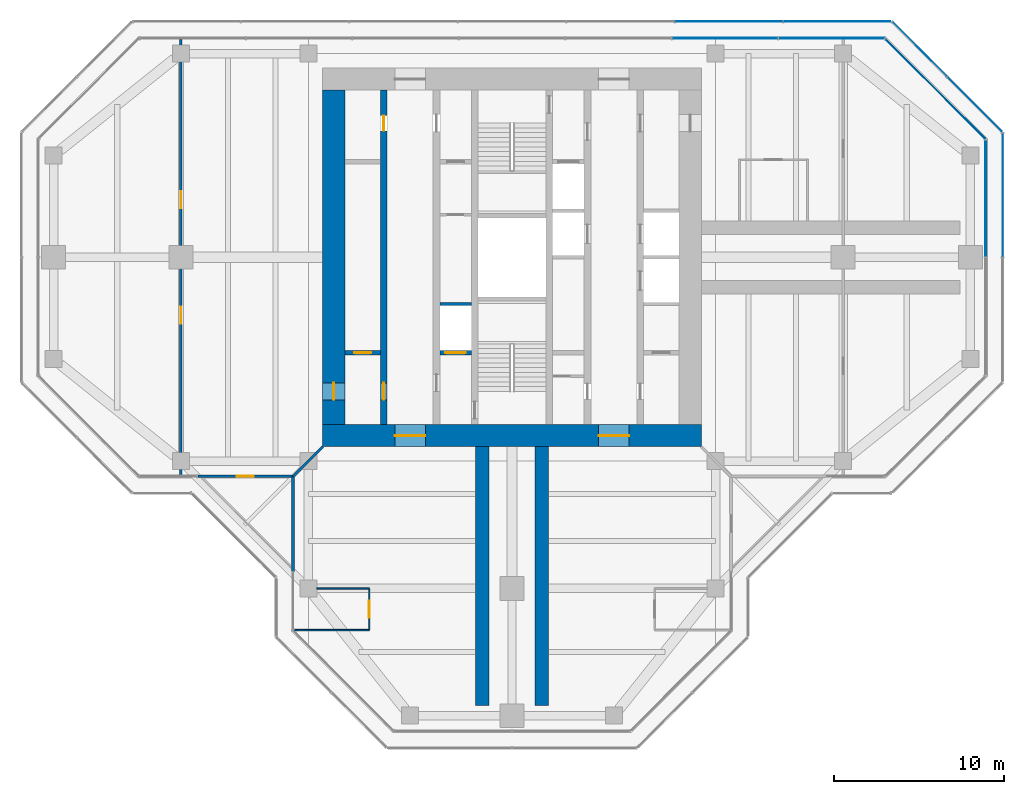
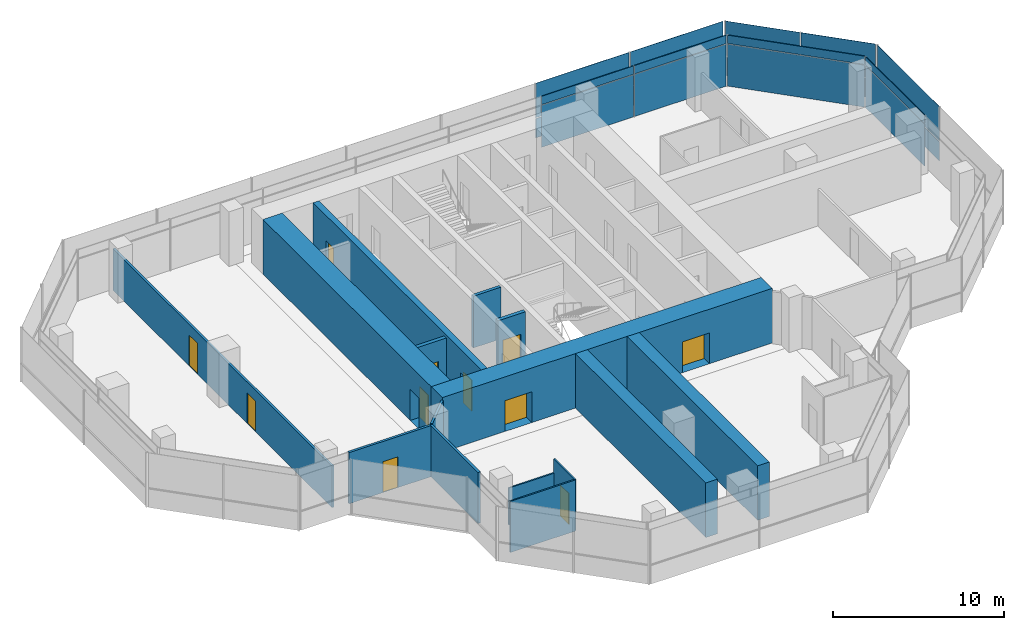
# One storey, part 11 of 15: 18 plates, 15 walls, 11 doors, 11 openings, 6 elements without a shape of their own.
"""IFC4 building model written with IfcOpenShell, lengths in metres."""

from ifc_helpers import new_model, si_unit, direction, frame, frame_2d, origin, origin_2d, place, context, subcontext, project, spatial, rectangle, extrude, material, layer, layer_set, type_object, element, fill, aggregate, save


model = new_model("IFC4")

# Units and contexts
model_context = context("Model", 3, precision=1e-05, world=origin(), true_north=direction((0.0, 1.0)))
body_context = subcontext(model_context, "Body", "Model", "MODEL_VIEW")
ifc_project = project(units=[si_unit("LENGTHUNIT", "METRE"), si_unit("AREAUNIT", "SQUARE_METRE"), si_unit("VOLUMEUNIT", "CUBIC_METRE"), si_unit("PLANEANGLEUNIT", "RADIAN"), si_unit("MASSUNIT", "GRAM", prefix="KILO")], contexts=[model_context])

# Site, building, storey
site_placement = place(None, origin())
site = spatial("IfcSite", under=ifc_project, at=site_placement, CompositionType="ELEMENT")
building_placement = place(site_placement, origin())
building = spatial("IfcBuilding", under=site, at=building_placement, Name="Mizan Broadcast Tower", CompositionType="ELEMENT")
storey_placement = place(building_placement, frame((0.0, 0.0, 302.39990234375)))
storey = spatial("IfcBuildingStorey", under=building, at=storey_placement, Name="L72", CompositionType="ELEMENT", Elevation=302.39990234375)

# Curtain wall, plate
ifc_material_1 = material(Name="Aluminium framed glazing", Category="aluminium")
curtain_wall_type_1 = type_object("IfcCurtainWallType", Name="INNER SKIN TOP ZONE", PredefinedType="USERDEFINED", material=ifc_material_1)
curtain_wall_1_placement = place(storey_placement, origin())
curtain_wall_1 = element("IfcCurtainWall", 1, at=curtain_wall_1_placement, inside=storey, type_object=curtain_wall_type_1, Name="Inner skin top zone L72 E end", ObjectType="INNER SKIN TOP ZONE", PredefinedType="USERDEFINED")
ifc_material_2 = material(Name="Double glazing, clear low-e", Category="glass")
ifc_layer_1 = layer(ifc_material_2, 0.028076171875)
ifc_layer_set_1 = layer_set([ifc_layer_1], Name="Double glazing, clear low-e")
plate_type_1 = type_object("IfcPlateType", Name="INNER SKIN GLAZING UNIT", PredefinedType="CURTAIN_PANEL", material=ifc_layer_set_1)
plate_1_placement = place(storey_placement, frame((27.89990234375, 3.46435546875, 0.0), z_axis=(0.0, 0.0, 1.0), x_axis=(0.0, 1.0, 0.0)))
plate_1 = element("IfcPlate", 2, at=plate_1_placement, type_object=plate_type_1, Name="Inner skin top zone L72 E end panel 2.1", PredefinedType="CURTAIN_PANEL", context=body_context, shape_type="SweptSolid", body=[
    extrude(rectangle(XDim=6.86865234375, YDim=0.028076171875, at=origin_2d()), origin(), (0.0, 0.0, 1.0), 3.0),
])

curtain_wall_2_placement = place(storey_placement, origin())
curtain_wall_2 = element("IfcCurtainWall", 3, at=curtain_wall_2_placement, inside=storey, type_object=curtain_wall_type_1, Name="Inner skin top zone L72 E chamfer", ObjectType="INNER SKIN TOP ZONE", PredefinedType="USERDEFINED")
plate_2_placement = place(storey_placement, frame((24.92919921875, 9.92919921875, 0.0), z_axis=(0.0, 0.0, 1.0), x_axis=(-0.707106781187, 0.707106781187, 0.0)))
plate_2 = element("IfcPlate", 4, at=plate_2_placement, type_object=plate_type_1, Name="Inner skin top zone L72 E chamfer panel 1.1", PredefinedType="CURTAIN_PANEL", context=body_context, shape_type="SweptSolid", body=[
    extrude(rectangle(XDim=8.282470703125, YDim=0.028076171875, at=origin_2d()), origin(), (0.0, 0.0, 1.0), 3.0),
])

# Curtain wall, plates
curtain_wall_3_placement = place(storey_placement, origin())
curtain_wall_3 = element("IfcCurtainWall", 5, at=curtain_wall_3_placement, inside=storey, type_object=curtain_wall_type_1, Name="Inner skin top zone L72 N end", ObjectType="INNER SKIN TOP ZONE", PredefinedType="USERDEFINED")
plate_3_placement = place(storey_placement, frame((18.806640625, 12.89990234375, 0.0), z_axis=(0.0, 0.0, 1.0), x_axis=(-1.0, 0.0, 0.0)))
plate_3 = element("IfcPlate", 6, at=plate_3_placement, type_object=plate_type_1, Name="Inner skin top zone L72 N end panel 1.1", PredefinedType="CURTAIN_PANEL", context=body_context, shape_type="SweptSolid", body=[
    extrude(rectangle(XDim=6.183837890625, YDim=0.028076171875, at=origin_2d()), origin(), (0.0, 0.0, 1.0), 3.0),
])
plate_4_placement = place(storey_placement, frame((12.5478515625, 12.89990234375, 0.0), z_axis=(0.0, 0.0, 1.0), x_axis=(-1.0, 0.0, 0.0)))
plate_4 = element("IfcPlate", 7, at=plate_4_placement, type_object=plate_type_1, Name="Inner skin top zone L72 N end panel 2.1", PredefinedType="CURTAIN_PANEL", context=body_context, shape_type="SweptSolid", body=[
    extrude(rectangle(XDim=6.2138671875, YDim=0.028076171875, at=origin_2d()), origin(), (0.0, 0.0, 1.0), 3.0),
])

# Plate
ifc_material_3 = material(Name="Insulated aluminium spandrel panel, pale anodised", Category="aluminium")
ifc_layer_2 = layer(ifc_material_3, 0.050048828125)
ifc_layer_set_2 = layer_set([ifc_layer_2], Name="Insulated aluminium spandrel panel, pale anodised")
plate_type_2 = type_object("IfcPlateType", Name="INNER SKIN SPANDREL PANEL", PredefinedType="CURTAIN_PANEL", material=ifc_layer_set_2)
plate_5_placement = place(storey_placement, frame((27.89990234375, 3.46435546875, 3.06005859375), z_axis=(0.0, 0.0, 1.0), x_axis=(0.0, 1.0, 0.0)))
plate_5 = element("IfcPlate", 8, at=plate_5_placement, type_object=plate_type_2, Name="Inner skin top zone L72 E end panel 2.2", PredefinedType="CURTAIN_PANEL", context=body_context, shape_type="SweptSolid", body=[
    extrude(rectangle(XDim=6.86865234375, YDim=0.050048828125, at=origin_2d()), origin(), (0.0, 0.0, 1.0), 0.590087890625),
])

aggregate(curtain_wall_1, [plate_1, plate_5])

plate_6_placement = place(storey_placement, frame((24.92919921875, 9.92919921875, 3.06005859375), z_axis=(0.0, 0.0, 1.0), x_axis=(-0.707106781187, 0.707106781187, 0.0)))
plate_6 = element("IfcPlate", 9, at=plate_6_placement, type_object=plate_type_2, Name="Inner skin top zone L72 E chamfer panel 1.2", PredefinedType="CURTAIN_PANEL", context=body_context, shape_type="SweptSolid", body=[
    extrude(rectangle(XDim=8.282470703125, YDim=0.050048828125, at=origin_2d()), origin(), (0.0, 0.0, 1.0), 0.590087890625),
])

aggregate(curtain_wall_2, [plate_2, plate_6])

plate_7_placement = place(storey_placement, frame((18.806640625, 12.89990234375, 3.06005859375), z_axis=(0.0, 0.0, 1.0), x_axis=(-1.0, 0.0, 0.0)))
plate_7 = element("IfcPlate", 10, at=plate_7_placement, type_object=plate_type_2, Name="Inner skin top zone L72 N end panel 1.2", PredefinedType="CURTAIN_PANEL", context=body_context, shape_type="SweptSolid", body=[
    extrude(rectangle(XDim=6.183837890625, YDim=0.050048828125, at=origin_2d()), origin(), (0.0, 0.0, 1.0), 0.590087890625),
])

plate_8_placement = place(storey_placement, frame((12.5478515625, 12.89990234375, 3.06005859375), z_axis=(0.0, 0.0, 1.0), x_axis=(-1.0, 0.0, 0.0)))
plate_8 = element("IfcPlate", 11, at=plate_8_placement, type_object=plate_type_2, Name="Inner skin top zone L72 N end panel 2.2", PredefinedType="CURTAIN_PANEL", context=body_context, shape_type="SweptSolid", body=[
    extrude(rectangle(XDim=6.2138671875, YDim=0.050048828125, at=origin_2d()), origin(), (0.0, 0.0, 1.0), 0.590087890625),
])

aggregate(curtain_wall_3, [plate_3, plate_7, plate_4, plate_8])

# Curtain wall, plates
ifc_material_4 = material(Name="Aluminium framed glazing", Category="aluminium")
curtain_wall_type_2 = type_object("IfcCurtainWallType", Name="OUTER SKIN", PredefinedType="USERDEFINED", material=ifc_material_4)
curtain_wall_4_placement = place(storey_placement, origin())
curtain_wall_4 = element("IfcCurtainWall", 12, at=curtain_wall_4_placement, inside=storey, type_object=curtain_wall_type_2, Name="Outer skin L72 E chamfer", ObjectType="OUTER SKIN", PredefinedType="USERDEFINED")
ifc_material_5 = material(Name="Laminated clear glass", Category="glass")
ifc_layer_3 = layer(ifc_material_5, 0.02001953125)
ifc_layer_set_3 = layer_set([ifc_layer_3], Name="Laminated clear glass")
plate_type_3 = type_object("IfcPlateType", Name="OUTER SKIN CLEAR GLASS", PredefinedType="CURTAIN_PANEL", material=ifc_layer_set_3)
plate_9_placement = place(storey_placement, frame((27.254150390625, 9.018798828125, 0.0), z_axis=(0.0, 0.0, 1.0), x_axis=(-0.707106781187, 0.707106781187, 0.0)))
plate_9 = element("IfcPlate", 13, at=plate_9_placement, type_object=plate_type_3, Name="Outer skin L72 E chamfer panel 1.1", PredefinedType="CURTAIN_PANEL", context=body_context, shape_type="SweptSolid", body=[
    extrude(rectangle(XDim=4.495361328125, YDim=0.02001953125, at=origin_2d()), origin(), (0.0, 0.0, 1.0), 1.3701171875),
])
plate_10_placement = place(storey_placement, frame((27.254150390625, 9.018798828125, 1.43017578125), z_axis=(0.0, 0.0, 1.0), x_axis=(-0.707106781187, 0.707106781187, 0.0)))
plate_10 = element("IfcPlate", 14, at=plate_10_placement, type_object=plate_type_3, Name="Outer skin L72 E chamfer panel 1.2", PredefinedType="CURTAIN_PANEL", context=body_context, shape_type="SweptSolid", body=[
    extrude(rectangle(XDim=4.495361328125, YDim=0.02001953125, at=origin_2d()), origin(), (0.0, 0.0, 1.0), 2.469970703125),
])

curtain_wall_5_placement = place(storey_placement, origin())
curtain_wall_5 = element("IfcCurtainWall", 15, at=curtain_wall_5_placement, inside=storey, type_object=curtain_wall_type_2, Name="Outer skin L72 N end", ObjectType="OUTER SKIN", PredefinedType="USERDEFINED")
plate_11_placement = place(storey_placement, frame((19.15673828125, 13.89990234375, 0.0), z_axis=(0.0, 0.0, 1.0), x_axis=(-1.0, 0.0, 0.0)))
plate_11 = element("IfcPlate", 16, at=plate_11_placement, type_object=plate_type_3, Name="Outer skin L72 N end panel 1.1", PredefinedType="CURTAIN_PANEL", context=body_context, shape_type="SweptSolid", body=[
    extrude(rectangle(XDim=6.272216796875, YDim=0.02001953125, at=origin_2d()), origin(), (0.0, 0.0, 1.0), 1.3701171875),
])
plate_12_placement = place(storey_placement, frame((19.15673828125, 13.89990234375, 1.43017578125), z_axis=(0.0, 0.0, 1.0), x_axis=(-1.0, 0.0, 0.0)))
plate_12 = element("IfcPlate", 17, at=plate_12_placement, type_object=plate_type_3, Name="Outer skin L72 N end panel 1.2", PredefinedType="CURTAIN_PANEL", context=body_context, shape_type="SweptSolid", body=[
    extrude(rectangle(XDim=6.272216796875, YDim=0.02001953125, at=origin_2d()), origin(), (0.0, 0.0, 1.0), 2.469970703125),
])
plate_13_placement = place(storey_placement, frame((12.784423828125, 13.89990234375, 0.0), z_axis=(0.0, 0.0, 1.0), x_axis=(-1.0, 0.0, 0.0)))
plate_13 = element("IfcPlate", 18, at=plate_13_placement, type_object=plate_type_3, Name="Outer skin L72 N end panel 2.1", PredefinedType="CURTAIN_PANEL", context=body_context, shape_type="SweptSolid", body=[
    extrude(rectangle(XDim=6.312255859375, YDim=0.02001953125, at=origin_2d()), origin(), (0.0, 0.0, 1.0), 1.3701171875),
])
plate_14_placement = place(storey_placement, frame((12.784423828125, 13.89990234375, 1.43017578125), z_axis=(0.0, 0.0, 1.0), x_axis=(-1.0, 0.0, 0.0)))
plate_14 = element("IfcPlate", 19, at=plate_14_placement, type_object=plate_type_3, Name="Outer skin L72 N end panel 2.2", PredefinedType="CURTAIN_PANEL", context=body_context, shape_type="SweptSolid", body=[
    extrude(rectangle(XDim=6.312255859375, YDim=0.02001953125, at=origin_2d()), origin(), (0.0, 0.0, 1.0), 2.469970703125),
])
aggregate(curtain_wall_5, [plate_11, plate_12, plate_13, plate_14])

curtain_wall_6_placement = place(storey_placement, origin())
curtain_wall_6 = element("IfcCurtainWall", 20, at=curtain_wall_6_placement, inside=storey, type_object=curtain_wall_type_2, Name="Outer skin L72 E end", ObjectType="OUTER SKIN", PredefinedType="USERDEFINED")
ifc_material_6 = material(Name="Perforated aluminium, pale anodised", Category="aluminium")
ifc_layer_4 = layer(ifc_material_6, 0.011962890625)
ifc_layer_set_4 = layer_set([ifc_layer_4], Name="Perforated aluminium, pale anodised")
plate_type_4 = type_object("IfcPlateType", Name="OUTER SKIN PERFORATED SCREEN", PredefinedType="USERDEFINED", material=ifc_layer_set_4)
plate_15_placement = place(storey_placement, frame((28.89990234375, 3.66650390625, 0.0), z_axis=(0.0, 0.0, 1.0), x_axis=(0.0, 1.0, 0.0)))
plate_15 = element("IfcPlate", 21, at=plate_15_placement, type_object=plate_type_4, Name="Outer skin L72 E end panel 2.1", ObjectType="SCREEN", PredefinedType="USERDEFINED", context=body_context, shape_type="SweptSolid", body=[
    extrude(rectangle(XDim=7.252685546875, YDim=0.011962890625, at=origin_2d()), origin(), (0.0, 0.0, 1.0), 1.3701171875),
])
plate_16_placement = place(storey_placement, frame((28.89990234375, 3.66650390625, 1.43017578125), z_axis=(0.0, 0.0, 1.0), x_axis=(0.0, 1.0, 0.0)))
plate_16 = element("IfcPlate", 22, at=plate_16_placement, type_object=plate_type_4, Name="Outer skin L72 E end panel 2.2", ObjectType="SCREEN", PredefinedType="USERDEFINED", context=body_context, shape_type="SweptSolid", body=[
    extrude(rectangle(XDim=7.252685546875, YDim=0.011962890625, at=origin_2d()), origin(), (0.0, 0.0, 1.0), 2.469970703125),
])
aggregate(curtain_wall_6, [plate_15, plate_16])

# Plate
plate_17_placement = place(storey_placement, frame((24.018798828125, 12.254150390625, 0.0), z_axis=(0.0, 0.0, 1.0), x_axis=(-0.707106781187, 0.707106781187, 0.0)))
plate_17 = element("IfcPlate", 23, at=plate_17_placement, type_object=plate_type_4, Name="Outer skin L72 E chamfer panel 2.1", ObjectType="SCREEN", PredefinedType="USERDEFINED", context=body_context, shape_type="SweptSolid", body=[
    extrude(rectangle(XDim=4.495361328125, YDim=0.011962890625, at=origin_2d()), origin(), (0.0, 0.0, 1.0), 1.3701171875),
])

plate_18_placement = place(storey_placement, frame((24.018798828125, 12.254150390625, 1.43017578125), z_axis=(0.0, 0.0, 1.0), x_axis=(-0.707106781187, 0.707106781187, 0.0)))
plate_18 = element("IfcPlate", 24, at=plate_18_placement, type_object=plate_type_4, Name="Outer skin L72 E chamfer panel 2.2", ObjectType="SCREEN", PredefinedType="USERDEFINED", context=body_context, shape_type="SweptSolid", body=[
    extrude(rectangle(XDim=4.495361328125, YDim=0.011962890625, at=origin_2d()), origin(), (0.0, 0.0, 1.0), 2.469970703125),
])

aggregate(curtain_wall_4, [plate_9, plate_10, plate_17, plate_18])

# Wall, openings, doors
ifc_material_7 = material(Name="Concrete C70/85", Category="concrete")
ifc_layer_5 = layer(ifc_material_7, 0.39990234375)
ifc_layer_set_5 = layer_set([ifc_layer_5], Name="Concrete C70/85")
wall_type_1 = type_object("IfcWallType", Name="CORE INTERNAL WALL 400", PredefinedType="SHEAR", material=ifc_layer_set_5)
wall_1_placement = place(storey_placement, frame((-7.550048828125, -9.85009765625, 0.0), z_axis=(0.0, 0.0, 1.0), x_axis=(0.0, 1.0, 0.0)))
wall_1 = element("IfcWall", 25, at=wall_1_placement, inside=storey, type_object=wall_type_1, Name="Core wall CORE/XW1", PredefinedType="SHEAR", context=body_context, shape_type="SweptSolid", body=[
    extrude(rectangle(XDim=19.7001953125, YDim=0.39990234375, at=frame_2d((9.85009765625, 0.0))), origin(), (0.0, 0.0, 1.0), 3.900146484375),
])
opening_1_placement = place(wall_1_placement, frame((1.449951171875, 0.0, 0.0)))
opening_1 = element("IfcOpeningElement", 26, at=opening_1_placement, cuts=wall_1, Name="Opening D10F", PredefinedType="OPENING", context=body_context, shape_type="SweptSolid", body=[
    extrude(rectangle(XDim=1.0, YDim=2.199951171875, at=frame_2d((0.5, 1.10009765625))), frame((0.0, 0.2099609375, 0.0), z_axis=(0.0, -1.0, 0.0), x_axis=(1.0, 0.0, 0.0)), (0.0, 0.0, 1.0), 0.419921875),
])
opening_2_placement = place(wall_1_placement, frame((17.300048828125, 0.0, 0.0)))
opening_2 = element("IfcOpeningElement", 27, at=opening_2_placement, cuts=wall_1, Name="Opening D09", PredefinedType="OPENING", context=body_context, shape_type="SweptSolid", body=[
    extrude(rectangle(XDim=0.89990234375, YDim=2.10009765625, at=frame_2d((0.449951171875, 1.050048828125))), frame((0.0, 0.2099609375, 0.0), z_axis=(0.0, -1.0, 0.0), x_axis=(1.0, 0.0, 0.0)), (0.0, 0.0, 1.0), 0.419921875),
])
ifc_material_8 = material(Name="Steel door leaf in steel frame", Category="steel")
door_type_1 = type_object("IfcDoorType", Name="FIRE DOOR 1000 FD90", OperationType="SINGLE_SWING_LEFT", PredefinedType="DOOR", material=ifc_material_8)
door_1_placement = place(opening_1_placement, origin())
door_1 = element("IfcDoor", 28, at=door_1_placement, inside=storey, type_object=door_type_1, Name="West core passage door", OperationType="SINGLE_SWING_LEFT", OverallHeight=2.199951171875, OverallWidth=1.0, PredefinedType="DOOR", context=body_context, shape_type="SweptSolid", body=[
    extrude(rectangle(XDim=1.0, YDim=2.199951171875, at=frame_2d((0.5, 1.10009765625))), frame((0.0, 0.02490234375, 0.0), z_axis=(0.0, -1.0, 0.0), x_axis=(1.0, 0.0, 0.0)), (0.0, 0.0, 1.0), 0.050048828125),
])
fill(opening_1, door_1)
ifc_material_9 = material(Name="Timber door leaf in aluminium frame", Category="wood")
door_type_2 = type_object("IfcDoorType", Name="TOILET DOOR 900", OperationType="SINGLE_SWING_LEFT", PredefinedType="DOOR", material=ifc_material_9)
door_2_placement = place(opening_2_placement, origin())
door_2 = element("IfcDoor", 29, at=door_2_placement, inside=storey, type_object=door_type_2, Name="Male WC door", OperationType="SINGLE_SWING_RIGHT", OverallHeight=2.10009765625, OverallWidth=0.89990234375, PredefinedType="DOOR", context=body_context, shape_type="SweptSolid", body=[
    extrude(rectangle(XDim=0.89990234375, YDim=2.10009765625, at=frame_2d((0.449951171875, 1.050048828125))), frame((0.0, 0.02490234375, 0.0), z_axis=(0.0, -1.0, 0.0), x_axis=(1.0, 0.0, 0.0)), (0.0, 0.0, 1.0), 0.050048828125),
])
fill(opening_2, door_2)

ifc_material_10 = material(Name="Concrete C70/85", Category="concrete")
ifc_layer_6 = layer(ifc_material_10, 1.300048828125)
ifc_layer_set_6 = layer_set([ifc_layer_6], Name="Concrete C70/85")
wall_type_2 = type_object("IfcWallType", Name="CORE WALL 1300", PredefinedType="SHEAR", material=ifc_layer_set_6)
wall_2_placement = place(storey_placement, frame((11.14990234375, -10.5, 0.0), z_axis=(0.0, 0.0, 1.0), x_axis=(-1.0, 0.0, 0.0)))
wall_2 = element("IfcWall", 30, at=wall_2_placement, inside=storey, type_object=wall_type_2, Name="Core wall S L72", PredefinedType="SHEAR", context=body_context, shape_type="SweptSolid", body=[
    extrude(rectangle(XDim=22.2998046875, YDim=1.300048828125, at=frame_2d((11.14990234375, 0.0))), origin(), (0.0, 0.0, 1.0), 3.900146484375),
])
opening_3_placement = place(wall_2_placement, frame((16.25, 0.0, 0.0)))
opening_3 = element("IfcOpeningElement", 31, at=opening_3_placement, cuts=wall_2, Name="Opening D18F", PredefinedType="OPENING", context=body_context, shape_type="SweptSolid", body=[
    extrude(rectangle(XDim=1.800048828125, YDim=2.199951171875, at=frame_2d((0.89990234375, 1.10009765625))), frame((0.0, 0.659912109375, 0.0), z_axis=(0.0, -1.0, 0.0), x_axis=(1.0, 0.0, 0.0)), (0.0, 0.0, 1.0), 1.320068359375),
])
opening_4_placement = place(wall_2_placement, frame((4.25, 0.0, 0.0)))
opening_4 = element("IfcOpeningElement", 32, at=opening_4_placement, cuts=wall_2, Name="Opening D18F", PredefinedType="OPENING", context=body_context, shape_type="SweptSolid", body=[
    extrude(rectangle(XDim=1.800048828125, YDim=2.199951171875, at=frame_2d((0.89990234375, 1.10009765625))), frame((0.0, 0.659912109375, 0.0), z_axis=(0.0, -1.0, 0.0), x_axis=(1.0, 0.0, 0.0)), (0.0, 0.0, 1.0), 1.320068359375),
])
ifc_material_11 = material(Name="Steel door leaf in steel frame", Category="steel")
door_type_3 = type_object("IfcDoorType", Name="LOBBY DOUBLE DOOR 1800 FD90", OperationType="DOUBLE_DOOR_DOUBLE_SWING", PredefinedType="DOOR", material=ifc_material_11)
door_3_placement = place(opening_3_placement, origin())
door_3 = element("IfcDoor", 33, at=door_3_placement, inside=storey, type_object=door_type_3, Name="West lift lobby south door", OperationType="DOUBLE_DOOR_DOUBLE_SWING", OverallHeight=2.199951171875, OverallWidth=1.800048828125, PredefinedType="DOOR", context=body_context, shape_type="SweptSolid", body=[
    extrude(rectangle(XDim=1.800048828125, YDim=2.199951171875, at=frame_2d((0.89990234375, 1.10009765625))), frame((0.0, 0.02490234375, 0.0), z_axis=(0.0, -1.0, 0.0), x_axis=(1.0, 0.0, 0.0)), (0.0, 0.0, 1.0), 0.050048828125),
])
fill(opening_3, door_3)
door_4_placement = place(opening_4_placement, origin())
door_4 = element("IfcDoor", 34, at=door_4_placement, inside=storey, type_object=door_type_3, Name="East lift lobby south door", OperationType="DOUBLE_DOOR_DOUBLE_SWING", OverallHeight=2.199951171875, OverallWidth=1.800048828125, PredefinedType="DOOR", context=body_context, shape_type="SweptSolid", body=[
    extrude(rectangle(XDim=1.800048828125, YDim=2.199951171875, at=frame_2d((0.89990234375, 1.10009765625))), frame((0.0, 0.02490234375, 0.0), z_axis=(0.0, -1.0, 0.0), x_axis=(1.0, 0.0, 0.0)), (0.0, 0.0, 1.0), 0.050048828125),
])
fill(opening_4, door_4)

# Wall, opening, door
wall_3_placement = place(storey_placement, frame((-10.5, 9.85009765625, 0.0), z_axis=(0.0, 0.0, 1.0), x_axis=(0.0, -1.0, 0.0)))
wall_3 = element("IfcWall", 35, at=wall_3_placement, inside=storey, type_object=wall_type_2, Name="Core wall W L72", PredefinedType="SHEAR", context=body_context, shape_type="SweptSolid", body=[
    extrude(rectangle(XDim=19.7001953125, YDim=1.300048828125, at=frame_2d((9.85009765625, 0.0))), origin(), (0.0, 0.0, 1.0), 3.900146484375),
])
opening_5_placement = place(wall_3_placement, frame((17.25, 0.0, 0.0)))
opening_5 = element("IfcOpeningElement", 36, at=opening_5_placement, cuts=wall_3, Name="Opening D10F", PredefinedType="OPENING", context=body_context, shape_type="SweptSolid", body=[
    extrude(rectangle(XDim=1.0, YDim=2.199951171875, at=frame_2d((0.5, 1.10009765625))), frame((0.0, 0.659912109375, 0.0), z_axis=(0.0, -1.0, 0.0), x_axis=(1.0, 0.0, 0.0)), (0.0, 0.0, 1.0), 1.320068359375),
])
door_5_placement = place(opening_5_placement, origin())
door_5 = element("IfcDoor", 37, at=door_5_placement, inside=storey, type_object=door_type_1, Name="West core passage arm door", OperationType="SINGLE_SWING_RIGHT", OverallHeight=2.199951171875, OverallWidth=1.0, PredefinedType="DOOR", context=body_context, shape_type="SweptSolid", body=[
    extrude(rectangle(XDim=1.0, YDim=2.199951171875, at=frame_2d((0.5, 1.10009765625))), frame((0.0, 0.02490234375, 0.0), z_axis=(0.0, -1.0, 0.0), x_axis=(1.0, 0.0, 0.0)), (0.0, 0.0, 1.0), 0.050048828125),
])
fill(opening_5, door_5)

ifc_material_12 = material(Name="Aluminium framed glazed screen", Category="aluminium")
ifc_layer_7 = layer(ifc_material_12, 0.159912109375)
ifc_layer_set_7 = layer_set([ifc_layer_7], Name="Aluminium framed glazed screen")
wall_type_3 = type_object("IfcWallType", Name="GLAZED SCREEN WALL 160", PredefinedType="SOLIDWALL", material=ifc_layer_set_7)
wall_4_placement = place(storey_placement, frame((-18.5, -12.89990234375, 0.0), z_axis=(0.0, 0.0, 1.0), x_axis=(1.0, 0.0, 0.0)))
wall_4 = element("IfcWall", 38, at=wall_4_placement, inside=storey, type_object=wall_type_3, Name="Winter garden screen L72 W", PredefinedType="SOLIDWALL", context=body_context, shape_type="SweptSolid", body=[
    extrude(rectangle(XDim=5.60009765625, YDim=0.159912109375, at=frame_2d((2.800048828125, 0.0))), origin(), (0.0, 0.0, 1.0), 3.650146484375),
])
opening_6_placement = place(wall_4_placement, frame((2.300048828125, 0.0, 0.0)))
opening_6 = element("IfcOpeningElement", 39, at=opening_6_placement, cuts=wall_4, Name="Opening WGD", PredefinedType="OPENING", context=body_context, shape_type="SweptSolid", body=[
    extrude(rectangle(XDim=1.0, YDim=2.199951171875, at=frame_2d((0.5, 1.10009765625))), frame((0.0, 0.08984375, 0.0), z_axis=(0.0, -1.0, 0.0), x_axis=(1.0, 0.0, 0.0)), (0.0, 0.0, 1.0), 0.179931640625),
])
ifc_material_13 = material(Name="Aluminium framed glazed door", Category="aluminium")
door_type_4 = type_object("IfcDoorType", Name="WINTER GARDEN DOOR 1000 GLAZED", OperationType="SINGLE_SWING_LEFT", PredefinedType="DOOR", material=ifc_material_13)
door_6_placement = place(opening_6_placement, origin())
door_6 = element("IfcDoor", 40, at=door_6_placement, inside=storey, type_object=door_type_4, Name="Winter garden door L72 W", OperationType="SINGLE_SWING_RIGHT", OverallHeight=2.199951171875, OverallWidth=1.0, PredefinedType="DOOR", context=body_context, shape_type="SweptSolid", body=[
    extrude(rectangle(XDim=1.0, YDim=2.199951171875, at=frame_2d((0.5, 1.10009765625))), frame((0.0, 0.02490234375, 0.0), z_axis=(0.0, -1.0, 0.0), x_axis=(1.0, 0.0, 0.0)), (0.0, 0.0, 1.0), 0.050048828125),
])
fill(opening_6, door_6)

# Walls
wall_5_placement = place(storey_placement, frame((-12.89990234375, -12.89990234375, 0.0), z_axis=(0.0, 0.0, 1.0), x_axis=(0.0, -1.0, 0.0)))
element("IfcWall", 41, at=wall_5_placement, inside=storey, type_object=wall_type_3, Name="Winter garden screen L72 S", PredefinedType="SOLIDWALL", context=body_context, shape_type="SweptSolid", body=[
    extrude(rectangle(XDim=5.60009765625, YDim=0.159912109375, at=frame_2d((2.800048828125, 0.0))), origin(), (0.0, 0.0, 1.0), 3.650146484375),
])
ifc_material_14 = material(Name="Concrete blockwork", Category="masonry")
ifc_layer_8 = layer(ifc_material_14, 0.199951171875)
ifc_layer_set_8 = layer_set([ifc_layer_8], Name="Concrete blockwork")
wall_type_4 = type_object("IfcWallType", Name="LIFT SHAFT WALL 200", PredefinedType="SOLIDWALL", material=ifc_layer_set_8)
wall_6_placement = place(storey_placement, frame((-4.25, -2.75, 0.0), z_axis=(0.0, 0.0, 1.0), x_axis=(1.0, 0.0, 0.0)))
element("IfcWall", 42, at=wall_6_placement, inside=storey, type_object=wall_type_4, Name="Lift shaft wall CORE/SW2-1", PredefinedType="SOLIDWALL", context=body_context, shape_type="SweptSolid", body=[
    extrude(rectangle(XDim=1.85009765625, YDim=0.199951171875, at=frame_2d((0.925048828125, 0.0))), origin(), (0.0, 0.0, 1.0), 3.7001953125),
])

# Wall, opening, door
ifc_material_15 = material(Name="Concrete blockwork", Category="masonry")
ifc_layer_9 = layer(ifc_material_15, 0.25)
ifc_layer_set_9 = layer_set([ifc_layer_9], Name="Concrete blockwork")
wall_type_5 = type_object("IfcWallType", Name="LOBBY ENCLOSURE WALL 250", PredefinedType="SOLIDWALL", material=ifc_layer_set_9)
wall_7_placement = place(storey_placement, frame((-9.85009765625, -5.625, 0.0), z_axis=(0.0, 0.0, 1.0), x_axis=(1.0, 0.0, 0.0)))
wall_7 = element("IfcWall", 43, at=wall_7_placement, inside=storey, type_object=wall_type_5, Name="Lobby enclosure wall CORE/BW1S", PredefinedType="SOLIDWALL", context=body_context, shape_type="SweptSolid", body=[
    extrude(rectangle(XDim=2.10009765625, YDim=0.25, at=frame_2d((1.050048828125, 0.0))), origin(), (0.0, 0.0, 1.0), 3.7001953125),
])
opening_7_placement = place(wall_7_placement, frame((0.550048828125, 0.0, 0.0)))
opening_7 = element("IfcOpeningElement", 44, at=opening_7_placement, cuts=wall_7, Name="Opening D10F", PredefinedType="OPENING", context=body_context, shape_type="SweptSolid", body=[
    extrude(rectangle(XDim=1.0, YDim=2.199951171875, at=frame_2d((0.5, 1.10009765625))), frame((0.0, 0.135009765625, 0.0), z_axis=(0.0, -1.0, 0.0), x_axis=(1.0, 0.0, 0.0)), (0.0, 0.0, 1.0), 0.27001953125),
])
door_7_placement = place(opening_7_placement, origin())
door_7 = element("IfcDoor", 45, at=door_7_placement, inside=storey, type_object=door_type_1, Name="Print and post room door", OperationType="SINGLE_SWING_RIGHT", OverallHeight=2.199951171875, OverallWidth=1.0, PredefinedType="DOOR", context=body_context, shape_type="SweptSolid", body=[
    extrude(rectangle(XDim=1.0, YDim=2.199951171875, at=frame_2d((0.5, 1.10009765625))), frame((0.0, 0.02490234375, 0.0), z_axis=(0.0, -1.0, 0.0), x_axis=(1.0, 0.0, 0.0)), (0.0, 0.0, 1.0), 0.050048828125),
])
fill(opening_7, door_7)

wall_8_placement = place(storey_placement, frame((-4.25, -5.625, 0.0), z_axis=(0.0, 0.0, 1.0), x_axis=(1.0, 0.0, 0.0)))
wall_8 = element("IfcWall", 46, at=wall_8_placement, inside=storey, type_object=wall_type_5, Name="Lobby enclosure wall CORE/BW2S", PredefinedType="SOLIDWALL", context=body_context, shape_type="SweptSolid", body=[
    extrude(rectangle(XDim=1.85009765625, YDim=0.25, at=frame_2d((0.925048828125, 0.0))), origin(), (0.0, 0.0, 1.0), 3.7001953125),
])
opening_8_placement = place(wall_8_placement, frame((0.324951171875, 0.0, 0.0)))
opening_8 = element("IfcOpeningElement", 47, at=opening_8_placement, cuts=wall_8, Name="Opening LDF", PredefinedType="OPENING", context=body_context, shape_type="SweptSolid", body=[
    extrude(rectangle(XDim=1.199951171875, YDim=2.199951171875, at=frame_2d((0.60009765625, 1.10009765625))), frame((0.0, 0.135009765625, 0.0), z_axis=(0.0, -1.0, 0.0), x_axis=(1.0, 0.0, 0.0)), (0.0, 0.0, 1.0), 0.27001953125),
])
ifc_material_16 = material(Name="Steel door leaf in steel frame", Category="steel")
door_type_5 = type_object("IfcDoorType", Name="FIREFIGHTING LIFT LANDING DOOR 1200", OperationType="SLIDING_TO_LEFT", PredefinedType="DOOR", material=ifc_material_16)
door_8_placement = place(opening_8_placement, origin())
door_8 = element("IfcDoor", 48, at=door_8_placement, inside=storey, type_object=door_type_5, Name="Landing door FF1", OperationType="SLIDING_TO_LEFT", OverallHeight=2.199951171875, OverallWidth=1.199951171875, PredefinedType="DOOR", context=body_context, shape_type="SweptSolid", body=[
    extrude(rectangle(XDim=1.199951171875, YDim=2.199951171875, at=frame_2d((0.60009765625, 1.10009765625))), frame((0.0, 0.02490234375, 0.0), z_axis=(0.0, -1.0, 0.0), x_axis=(1.0, 0.0, 0.0)), (0.0, 0.0, 1.0), 0.050048828125),
])
fill(opening_8, door_8)

# Wall, openings, doors
ifc_material_17 = material(Name="Gypsum board on steel studs", Category="steel")
ifc_layer_10 = layer(ifc_material_17, 0.14990234375)
ifc_layer_set_10 = layer_set([ifc_layer_10], Name="Gypsum board on steel studs")
wall_type_6 = type_object("IfcWallType", Name="PARTITION 150", PredefinedType="PARTITIONING", material=ifc_layer_set_10)
wall_9_placement = place(storey_placement, frame((-19.5, 12.820068359375, 0.0), z_axis=(0.0, 0.0, 1.0), x_axis=(0.0, -1.0, 0.0)))
wall_9 = element("IfcWall", 49, at=wall_9_placement, inside=storey, type_object=wall_type_6, Name="Partition PT/WX1", PredefinedType="PARTITIONING", context=body_context, shape_type="SweptSolid", body=[
    extrude(rectangle(XDim=25.64013671875, YDim=0.14990234375, at=frame_2d((12.820068359375, 0.0))), origin(), (0.0, 0.0, 1.0), 2.960205078125),
])
opening_9_placement = place(wall_9_placement, frame((15.719970703125, 0.0, 0.0)))
opening_9 = element("IfcOpeningElement", 50, at=opening_9_placement, cuts=wall_9, Name="Opening D10", PredefinedType="OPENING", context=body_context, shape_type="SweptSolid", body=[
    extrude(rectangle(XDim=1.0, YDim=2.199951171875, at=frame_2d((0.5, 1.10009765625))), frame((0.0, 0.0849609375, 0.0), z_axis=(0.0, -1.0, 0.0), x_axis=(1.0, 0.0, 0.0)), (0.0, 0.0, 1.0), 0.169921875),
])
opening_10_placement = place(wall_9_placement, frame((8.919921875, 0.0, 0.0)))
opening_10 = element("IfcOpeningElement", 51, at=opening_10_placement, cuts=wall_9, Name="Opening D10", PredefinedType="OPENING", context=body_context, shape_type="SweptSolid", body=[
    extrude(rectangle(XDim=1.0, YDim=2.199951171875, at=frame_2d((0.5, 1.10009765625))), frame((0.0, 0.0849609375, 0.0), z_axis=(0.0, -1.0, 0.0), x_axis=(1.0, 0.0, 0.0)), (0.0, 0.0, 1.0), 0.169921875),
])
ifc_material_18 = material(Name="Timber door leaf in aluminium frame", Category="wood")
door_type_6 = type_object("IfcDoorType", Name="ROOM DOOR 1000", OperationType="SINGLE_SWING_LEFT", PredefinedType="DOOR", material=ifc_material_18)
door_9_placement = place(opening_9_placement, origin())
door_9 = element("IfcDoor", 52, at=door_9_placement, inside=storey, type_object=door_type_6, Name="Executive library door", OperationType="SINGLE_SWING_RIGHT", OverallHeight=2.199951171875, OverallWidth=1.0, PredefinedType="DOOR", context=body_context, shape_type="SweptSolid", body=[
    extrude(rectangle(XDim=1.0, YDim=2.199951171875, at=frame_2d((0.5, 1.10009765625))), frame((0.0, 0.02490234375, 0.0), z_axis=(0.0, -1.0, 0.0), x_axis=(1.0, 0.0, 0.0)), (0.0, 0.0, 1.0), 0.050048828125),
])
fill(opening_9, door_9)
door_10_placement = place(opening_10_placement, origin())
door_10 = element("IfcDoor", 53, at=door_10_placement, inside=storey, type_object=door_type_6, Name="Executive library door", OperationType="SINGLE_SWING_LEFT", OverallHeight=2.199951171875, OverallWidth=1.0, PredefinedType="DOOR", context=body_context, shape_type="SweptSolid", body=[
    extrude(rectangle(XDim=1.0, YDim=2.199951171875, at=frame_2d((0.5, 1.10009765625))), frame((0.0, 0.02490234375, 0.0), z_axis=(0.0, -1.0, 0.0), x_axis=(1.0, 0.0, 0.0)), (0.0, 0.0, 1.0), 0.050048828125),
])
fill(opening_10, door_10)

# Wall
wall_10_placement = place(storey_placement, frame((-11.14990234375, -11.14990234375, 0.0), z_axis=(0.0, 0.0, 1.0), x_axis=(-0.707106781187, -0.707106781187, 0.0)))
element("IfcWall", 54, at=wall_10_placement, inside=storey, type_object=wall_type_6, Name="Partition PT/DGWS", PredefinedType="PARTITIONING", context=body_context, shape_type="SweptSolid", body=[
    extrude(rectangle(XDim=2.460693359375, YDim=0.14990234375, at=frame_2d((1.23046875, 0.0))), origin(), (0.0, 0.0, 1.0), 3.72021484375),
])

# Wall, opening, door
ifc_material_19 = material(Name="Glazed aluminium partition on aluminium track", Category="aluminium")
ifc_layer_11 = layer(ifc_material_19, 0.10009765625)
ifc_layer_set_11 = layer_set([ifc_layer_11], Name="Glazed aluminium partition on aluminium track")
wall_type_7 = type_object("IfcWallType", Name="PARTITION GLAZED OFFICE FRONT 100", PredefinedType="PARTITIONING", material=ifc_layer_set_11)
wall_11_placement = place(storey_placement, frame((-8.39990234375, -19.5, 0.0), z_axis=(0.0, 0.0, 1.0), x_axis=(0.0, -1.0, 0.0)))
wall_11 = element("IfcWall", 55, at=wall_11_placement, inside=storey, type_object=wall_type_7, Name="Glazed office front PT/SCN0", PredefinedType="PARTITIONING", context=body_context, shape_type="SweptSolid", body=[
    extrude(rectangle(XDim=2.458984375, YDim=0.10009765625, at=frame_2d((1.2294921875, 0.0))), origin(), (0.0, 0.0, 1.0), 3.650146484375),
])
opening_11_placement = place(wall_11_placement, frame((0.7294921875, 0.0, 0.0)))
opening_11 = element("IfcOpeningElement", 56, at=opening_11_placement, cuts=wall_11, Name="Opening D10O", PredefinedType="OPENING", context=body_context, shape_type="SweptSolid", body=[
    extrude(rectangle(XDim=1.0, YDim=2.199951171875, at=frame_2d((0.5, 1.10009765625))), frame((0.0, 0.06005859375, 0.0), z_axis=(0.0, -1.0, 0.0), x_axis=(1.0, 0.0, 0.0)), (0.0, 0.0, 1.0), 0.1201171875),
])
ifc_material_20 = material(Name="Timber door leaf in aluminium frame", Category="wood")
door_type_7 = type_object("IfcDoorType", Name="OFFICE DOOR 1000 GLAZED", OperationType="SINGLE_SWING_LEFT", PredefinedType="DOOR", material=ifc_material_20)
door_11_placement = place(opening_11_placement, origin())
door_11 = element("IfcDoor", 57, at=door_11_placement, inside=storey, type_object=door_type_7, Name="Meeting room door", OperationType="SINGLE_SWING_LEFT", OverallHeight=2.199951171875, OverallWidth=1.0, PredefinedType="DOOR", context=body_context, shape_type="SweptSolid", body=[
    extrude(rectangle(XDim=1.0, YDim=2.199951171875, at=frame_2d((0.5, 1.10009765625))), frame((0.0, 0.02490234375, 0.0), z_axis=(0.0, -1.0, 0.0), x_axis=(1.0, 0.0, 0.0)), (0.0, 0.0, 1.0), 0.050048828125),
])
fill(opening_11, door_11)

# Walls
wall_12_placement = place(storey_placement, frame((-8.39990234375, -19.5, 0.0), z_axis=(0.0, 0.0, 1.0), x_axis=(-1.0, 0.0, 0.0)))
element("IfcWall", 58, at=wall_12_placement, inside=storey, type_object=wall_type_7, Name="Glazed office front PT/SQN1950", PredefinedType="PARTITIONING", context=body_context, shape_type="SweptSolid", body=[
    extrude(rectangle(XDim=3.10009765625, YDim=0.10009765625, at=frame_2d((1.550048828125, 0.0))), origin(), (0.0, 0.0, 1.0), 2.650146484375),
])
wall_13_placement = place(storey_placement, frame((-8.39990234375, -21.958984375, 0.0), z_axis=(0.0, 0.0, 1.0), x_axis=(-1.0, 0.0, 0.0)))
element("IfcWall", 59, at=wall_13_placement, inside=storey, type_object=wall_type_7, Name="Glazed office front PT/SQN2196", PredefinedType="PARTITIONING", context=body_context, shape_type="SweptSolid", body=[
    extrude(rectangle(XDim=4.420166015625, YDim=0.10009765625, at=frame_2d((2.2099609375, 0.0))), origin(), (0.0, 0.0, 1.0), 3.650146484375),
])
ifc_material_21 = material(Name="Concrete C70/85", Category="concrete")
ifc_layer_12 = layer(ifc_material_21, 0.800048828125)
ifc_layer_set_12 = layer_set([ifc_layer_12], Name="Concrete C70/85")
wall_type_8 = type_object("IfcWallType", Name="SPINE WALL 800", PredefinedType="SHEAR", material=ifc_layer_set_12)
for number, where, z_axis, x_axis, name in (
    (60, (-1.75, -11.14990234375, 0.0), (0.0, 0.0, 1.0), (0.0, -1.0, 0.0), "Spine wall SR L72"),
    (61, (1.75, -11.14990234375, 0.0), (0.0, 0.0, 1.0), (0.0, -1.0, 0.0), "Spine wall SL L72"),
):
    element("IfcWall", number, at=place(storey_placement, frame(where, z_axis=z_axis, x_axis=x_axis)), inside=storey, type_object=wall_type_8, Name=name, PredefinedType="SHEAR", context=body_context, shape_type="SweptSolid", body=[
        extrude(rectangle(XDim=15.25, YDim=0.800048828125, at=frame_2d((7.625, 0.0))), origin(), (0.0, 0.0, 1.0), 3.900146484375),
    ])

save(model, "model.ifc")
